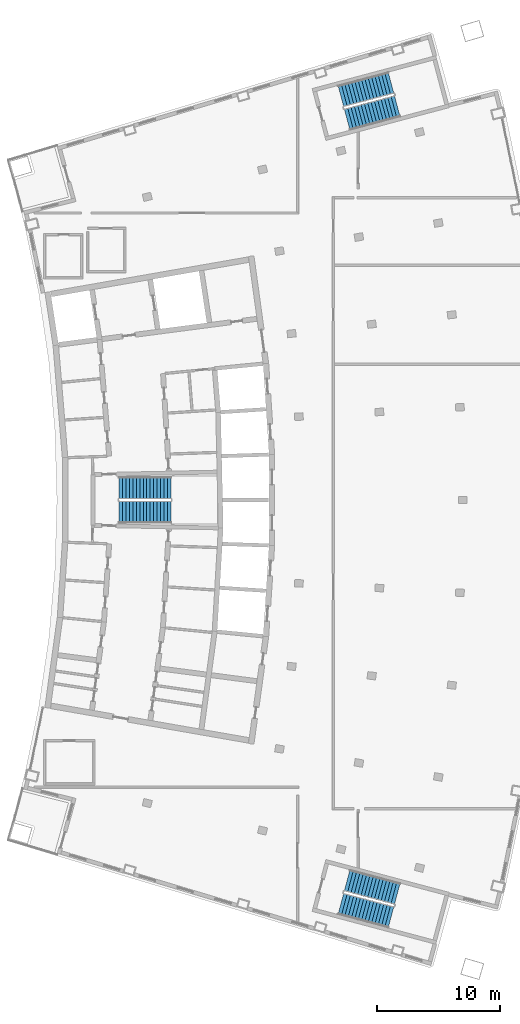
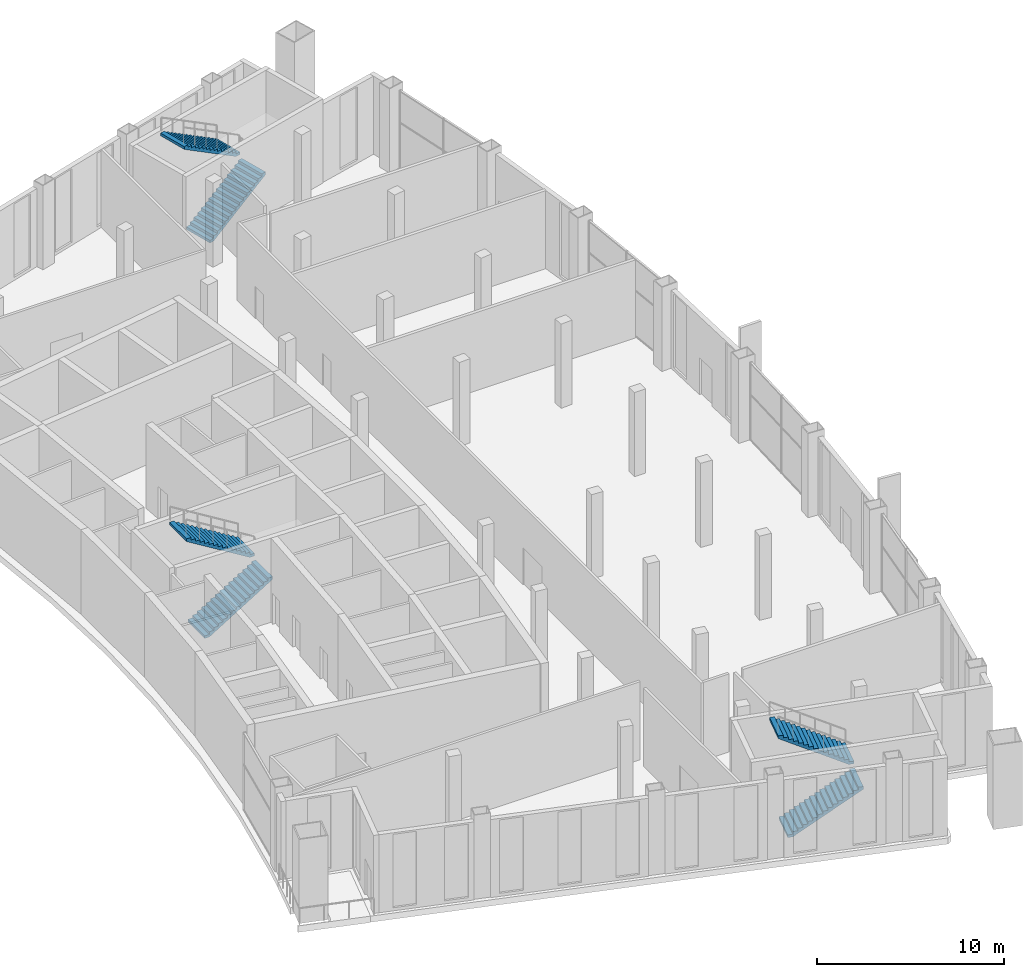
# One storey, part 11 of 13: 6 stair flights, 3 elements without a shape of their own.
"""IFC4 building model written with IfcOpenShell, lengths in metres."""

from ifc_helpers import new_model, si_unit, direction, frame, origin, place, context, subcontext, project, spatial, polyline, outline, extrude, material, layer, layer_set, type_object, element, aggregate, save


model = new_model("IFC4")

# Units and contexts
model_context = context("Model", 3, precision=1e-05, world=origin(), true_north=direction((0.0, 1.0)))
body_context = subcontext(model_context, "Body", "Model", "MODEL_VIEW")
ifc_project = project(units=[si_unit("LENGTHUNIT", "METRE"), si_unit("AREAUNIT", "SQUARE_METRE"), si_unit("VOLUMEUNIT", "CUBIC_METRE"), si_unit("PLANEANGLEUNIT", "RADIAN"), si_unit("MASSUNIT", "GRAM", prefix="KILO")], contexts=[model_context])

# Site, building, storey
site_placement = place(None, origin())
site = spatial("IfcSite", under=ifc_project, at=site_placement, CompositionType="ELEMENT")
building_placement = place(site_placement, origin())
building = spatial("IfcBuilding", under=site, at=building_placement, Name="Alderwake Tower", CompositionType="ELEMENT")
storey_placement = place(building_placement, frame((0.0, 0.0, 304.5)))
storey = spatial("IfcBuildingStorey", under=building, at=storey_placement, Name="L74", CompositionType="ELEMENT", Elevation=304.5)

# Stair, stair flights
ifc_material_1 = material(Name="Concrete C40/50", Category="concrete")
stair_type = type_object("IfcStairType", Name="Core exit stair", PredefinedType="HALF_TURN_STAIR", material=ifc_material_1)
stair_1_placement = place(storey_placement, origin())
stair_1 = element("IfcStair", 1, at=stair_1_placement, inside=storey, type_object=stair_type, Name="L74 Exit Stair B", PredefinedType="HALF_TURN_STAIR")
ifc_material_2 = material(Name="Concrete C40/50", Category="concrete")
ifc_layer = layer(ifc_material_2, 0.14990234375)
ifc_layer_set = layer_set([ifc_layer], Name="Core stair flight")
stair_flight_type = type_object("IfcStairFlightType", Name="Core stair flight", PredefinedType="STRAIGHT", material=ifc_layer_set)
stair_flight_1_placement = place(storey_placement, frame((21.0400390625, 60.02490234375, 0.0), z_axis=(0.0, 0.0, 1.0), x_axis=(1.0, 0.0, 0.0)))
stair_flight_1 = element("IfcStairFlight", 2, at=stair_flight_1_placement, type_object=stair_flight_type, Name="ST-B flight 1", NumberOfRisers=16, NumberOfTreads=15, PredefinedType="STRAIGHT", RiserHeight=0.171875, TreadLength=0.28, context=body_context, shape_type="SweptSolid", body=[
    extrude(outline(polyline([(0.0, 0.0), (0.0, 0.171875), (0.280029296875, 0.171875), (0.280029296875, 0.34375), (0.56005859375, 0.34375), (0.56005859375, 0.515625), (0.840087890625, 0.515625), (0.840087890625, 0.6875), (1.1201171875, 0.6875), (1.1201171875, 0.859375), (1.39990234375, 0.859375), (1.39990234375, 1.03125), (1.679931640625, 1.03125), (1.679931640625, 1.203125), (1.9599609375, 1.203125), (1.9599609375, 1.375), (2.239990234375, 1.375), (2.239990234375, 1.546875), (2.52001953125, 1.546875), (2.52001953125, 1.71875), (2.800048828125, 1.71875), (2.800048828125, 1.890625), (3.080078125, 1.890625), (3.080078125, 2.0625), (3.360107421875, 2.0625), (3.360107421875, 2.234375), (3.639892578125, 2.234375), (3.639892578125, 2.40625), (3.919921875, 2.40625), (3.919921875, 2.578125), (4.199951171875, 2.578125), (4.199951171875, 2.75), (4.199951171875, 2.40234375), (0.28662109375, 0.0), (0.0, 0.0)])), frame((0.0, 0.89990234375, 0.0), z_axis=(0.0, -1.0, 0.0), x_axis=(1.0, 0.0, 0.0)), (0.0, 0.0, 1.0), 1.800048828125),
])
stair_flight_2_placement = place(storey_placement, frame((25.239990234375, 61.97509765625, 2.75), z_axis=(0.0, 0.0, 1.0), x_axis=(-1.0, 0.0, 0.0)))
stair_flight_2 = element("IfcStairFlight", 3, at=stair_flight_2_placement, type_object=stair_flight_type, Name="ST-B flight 2", NumberOfRisers=16, NumberOfTreads=15, PredefinedType="STRAIGHT", RiserHeight=0.171875, TreadLength=0.28, context=body_context, shape_type="SweptSolid", body=[
    extrude(outline(polyline([(0.0, 0.0), (0.0, 0.171875), (0.280029296875, 0.171875), (0.280029296875, 0.34375), (0.56005859375, 0.34375), (0.56005859375, 0.515625), (0.840087890625, 0.515625), (0.840087890625, 0.6875), (1.1201171875, 0.6875), (1.1201171875, 0.859375), (1.39990234375, 0.859375), (1.39990234375, 1.03125), (1.679931640625, 1.03125), (1.679931640625, 1.203125), (1.9599609375, 1.203125), (1.9599609375, 1.375), (2.239990234375, 1.375), (2.239990234375, 1.546875), (2.52001953125, 1.546875), (2.52001953125, 1.71875), (2.800048828125, 1.71875), (2.800048828125, 1.890625), (3.080078125, 1.890625), (3.080078125, 2.0625), (3.360107421875, 2.0625), (3.360107421875, 2.234375), (3.639892578125, 2.234375), (3.639892578125, 2.40625), (3.919921875, 2.40625), (3.919921875, 2.578125), (4.199951171875, 2.578125), (4.199951171875, 2.75), (4.199951171875, 2.40234375), (0.28662109375, 0.0), (0.0, 0.0)])), frame((0.0, 0.89990234375, 0.0), z_axis=(0.0, -1.0, 0.0), x_axis=(1.0, 0.0, 0.0)), (0.0, 0.0, 1.0), 1.800048828125),
])
aggregate(stair_1, [stair_flight_1, stair_flight_2])

stair_2_placement = place(storey_placement, origin())
stair_2 = element("IfcStair", 4, at=stair_2_placement, inside=storey, type_object=stair_type, Name="L74 Exit Stair A", PredefinedType="HALF_TURN_STAIR")
stair_flight_3_placement = place(storey_placement, frame((39.512939453125, 91.823974609375, 0.0), z_axis=(0.0, 0.0, 1.0), x_axis=(0.966309627437, 0.257382407951, 0.0)))
stair_flight_3 = element("IfcStairFlight", 5, at=stair_flight_3_placement, type_object=stair_flight_type, Name="ST-A flight 1", NumberOfRisers=16, NumberOfTreads=15, PredefinedType="STRAIGHT", RiserHeight=0.171875, TreadLength=0.28, context=body_context, shape_type="SweptSolid", body=[
    extrude(outline(polyline([(0.0, 0.0), (0.0, 0.171875), (0.280029296875, 0.171875), (0.280029296875, 0.34375), (0.56005859375, 0.34375), (0.56005859375, 0.515625), (0.840087890625, 0.515625), (0.840087890625, 0.6875), (1.1201171875, 0.6875), (1.1201171875, 0.859375), (1.39990234375, 0.859375), (1.39990234375, 1.03125), (1.679931640625, 1.03125), (1.679931640625, 1.203125), (1.9599609375, 1.203125), (1.9599609375, 1.375), (2.239990234375, 1.375), (2.239990234375, 1.546875), (2.52001953125, 1.546875), (2.52001953125, 1.71875), (2.800048828125, 1.71875), (2.800048828125, 1.890625), (3.080078125, 1.890625), (3.080078125, 2.0625), (3.360107421875, 2.0625), (3.360107421875, 2.234375), (3.639892578125, 2.234375), (3.639892578125, 2.40625), (3.919921875, 2.40625), (3.919921875, 2.578125), (4.199951171875, 2.578125), (4.199951171875, 2.75), (4.199951171875, 2.40234375), (0.28662109375, 0.0), (0.0, 0.0)])), frame((0.0, 0.89990234375, 0.0), z_axis=(0.0, -1.0, 0.0), x_axis=(1.0, 0.0, 0.0)), (0.0, 0.0, 1.0), 1.800048828125),
])
stair_flight_4_placement = place(storey_placement, frame((43.069580078125, 94.789306640625, 2.75), z_axis=(0.0, 0.0, 1.0), x_axis=(-0.966309627437, -0.257382407951, 0.0)))
stair_flight_4 = element("IfcStairFlight", 6, at=stair_flight_4_placement, type_object=stair_flight_type, Name="ST-A flight 2", NumberOfRisers=16, NumberOfTreads=15, PredefinedType="STRAIGHT", RiserHeight=0.171875, TreadLength=0.28, context=body_context, shape_type="SweptSolid", body=[
    extrude(outline(polyline([(0.0, 0.0), (0.0, 0.171875), (0.280029296875, 0.171875), (0.280029296875, 0.34375), (0.56005859375, 0.34375), (0.56005859375, 0.515625), (0.840087890625, 0.515625), (0.840087890625, 0.6875), (1.1201171875, 0.6875), (1.1201171875, 0.859375), (1.39990234375, 0.859375), (1.39990234375, 1.03125), (1.679931640625, 1.03125), (1.679931640625, 1.203125), (1.9599609375, 1.203125), (1.9599609375, 1.375), (2.239990234375, 1.375), (2.239990234375, 1.546875), (2.52001953125, 1.546875), (2.52001953125, 1.71875), (2.800048828125, 1.71875), (2.800048828125, 1.890625), (3.080078125, 1.890625), (3.080078125, 2.0625), (3.360107421875, 2.0625), (3.360107421875, 2.234375), (3.639892578125, 2.234375), (3.639892578125, 2.40625), (3.919921875, 2.40625), (3.919921875, 2.578125), (4.199951171875, 2.578125), (4.199951171875, 2.75), (4.199951171875, 2.40234375), (0.28662109375, 0.0), (0.0, 0.0)])), frame((0.0, 0.89990234375, 0.0), z_axis=(0.0, -1.0, 0.0), x_axis=(1.0, 0.0, 0.0)), (0.0, 0.0, 1.0), 1.800048828125),
])
aggregate(stair_2, [stair_flight_3, stair_flight_4])

stair_3_placement = place(storey_placement, origin())
stair_3 = element("IfcStair", 7, at=stair_3_placement, inside=storey, type_object=stair_type, Name="L74 Exit Stair C", PredefinedType="HALF_TURN_STAIR")
stair_flight_5_placement = place(storey_placement, frame((39.010986328125, 28.291748046875, 0.0), z_axis=(0.0, 0.0, 1.0), x_axis=(0.966309627437, -0.257382407951, 0.0)))
stair_flight_5 = element("IfcStairFlight", 8, at=stair_flight_5_placement, type_object=stair_flight_type, Name="ST-C flight 1", NumberOfRisers=16, NumberOfTreads=15, PredefinedType="STRAIGHT", RiserHeight=0.171875, TreadLength=0.28, context=body_context, shape_type="SweptSolid", body=[
    extrude(outline(polyline([(0.0, 0.0), (0.0, 0.171875), (0.280029296875, 0.171875), (0.280029296875, 0.34375), (0.56005859375, 0.34375), (0.56005859375, 0.515625), (0.840087890625, 0.515625), (0.840087890625, 0.6875), (1.1201171875, 0.6875), (1.1201171875, 0.859375), (1.39990234375, 0.859375), (1.39990234375, 1.03125), (1.679931640625, 1.03125), (1.679931640625, 1.203125), (1.9599609375, 1.203125), (1.9599609375, 1.375), (2.239990234375, 1.375), (2.239990234375, 1.546875), (2.52001953125, 1.546875), (2.52001953125, 1.71875), (2.800048828125, 1.71875), (2.800048828125, 1.890625), (3.080078125, 1.890625), (3.080078125, 2.0625), (3.360107421875, 2.0625), (3.360107421875, 2.234375), (3.639892578125, 2.234375), (3.639892578125, 2.40625), (3.919921875, 2.40625), (3.919921875, 2.578125), (4.199951171875, 2.578125), (4.199951171875, 2.75), (4.199951171875, 2.40234375), (0.28662109375, 0.0), (0.0, 0.0)])), frame((0.0, 0.89990234375, 0.0), z_axis=(0.0, -1.0, 0.0), x_axis=(1.0, 0.0, 0.0)), (0.0, 0.0, 1.0), 1.800048828125),
])
stair_flight_6_placement = place(storey_placement, frame((43.5712890625, 29.094970703125, 2.75), z_axis=(0.0, 0.0, 1.0), x_axis=(-0.966309627437, 0.257382407951, 0.0)))
stair_flight_6 = element("IfcStairFlight", 9, at=stair_flight_6_placement, type_object=stair_flight_type, Name="ST-C flight 2", NumberOfRisers=16, NumberOfTreads=15, PredefinedType="STRAIGHT", RiserHeight=0.171875, TreadLength=0.28, context=body_context, shape_type="SweptSolid", body=[
    extrude(outline(polyline([(0.0, 0.0), (0.0, 0.171875), (0.280029296875, 0.171875), (0.280029296875, 0.34375), (0.56005859375, 0.34375), (0.56005859375, 0.515625), (0.840087890625, 0.515625), (0.840087890625, 0.6875), (1.1201171875, 0.6875), (1.1201171875, 0.859375), (1.39990234375, 0.859375), (1.39990234375, 1.03125), (1.679931640625, 1.03125), (1.679931640625, 1.203125), (1.9599609375, 1.203125), (1.9599609375, 1.375), (2.239990234375, 1.375), (2.239990234375, 1.546875), (2.52001953125, 1.546875), (2.52001953125, 1.71875), (2.800048828125, 1.71875), (2.800048828125, 1.890625), (3.080078125, 1.890625), (3.080078125, 2.0625), (3.360107421875, 2.0625), (3.360107421875, 2.234375), (3.639892578125, 2.234375), (3.639892578125, 2.40625), (3.919921875, 2.40625), (3.919921875, 2.578125), (4.199951171875, 2.578125), (4.199951171875, 2.75), (4.199951171875, 2.40234375), (0.28662109375, 0.0), (0.0, 0.0)])), frame((0.0, 0.89990234375, 0.0), z_axis=(0.0, -1.0, 0.0), x_axis=(1.0, 0.0, 0.0)), (0.0, 0.0, 1.0), 1.800048828125),
])
aggregate(stair_3, [stair_flight_5, stair_flight_6])

save(model, "model.ifc")
